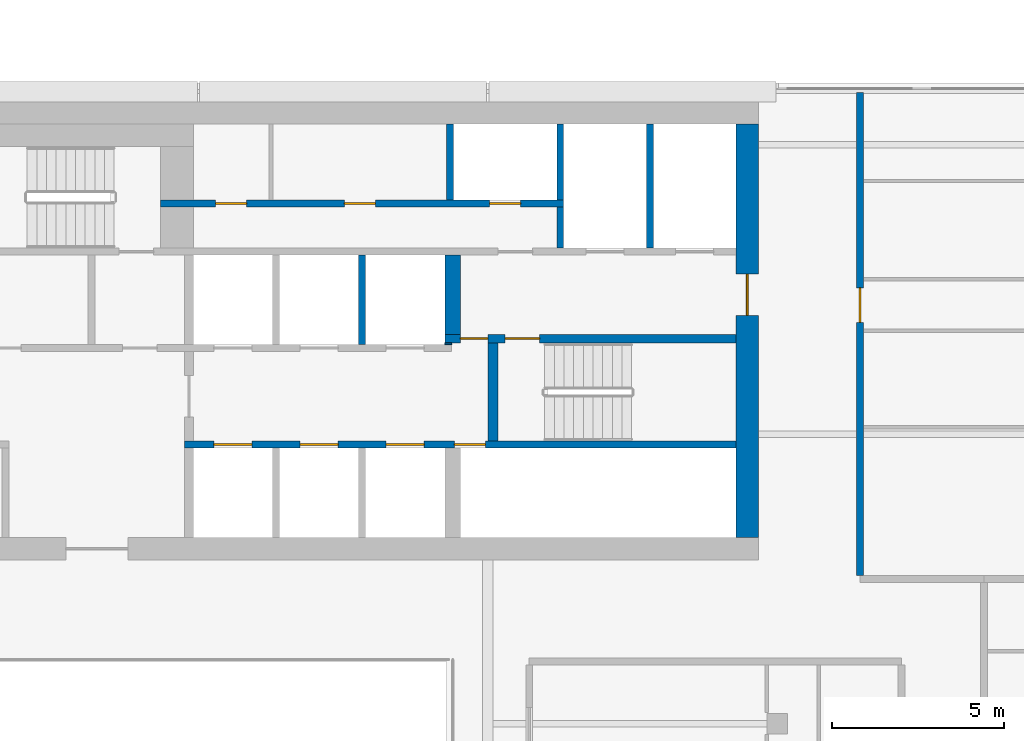
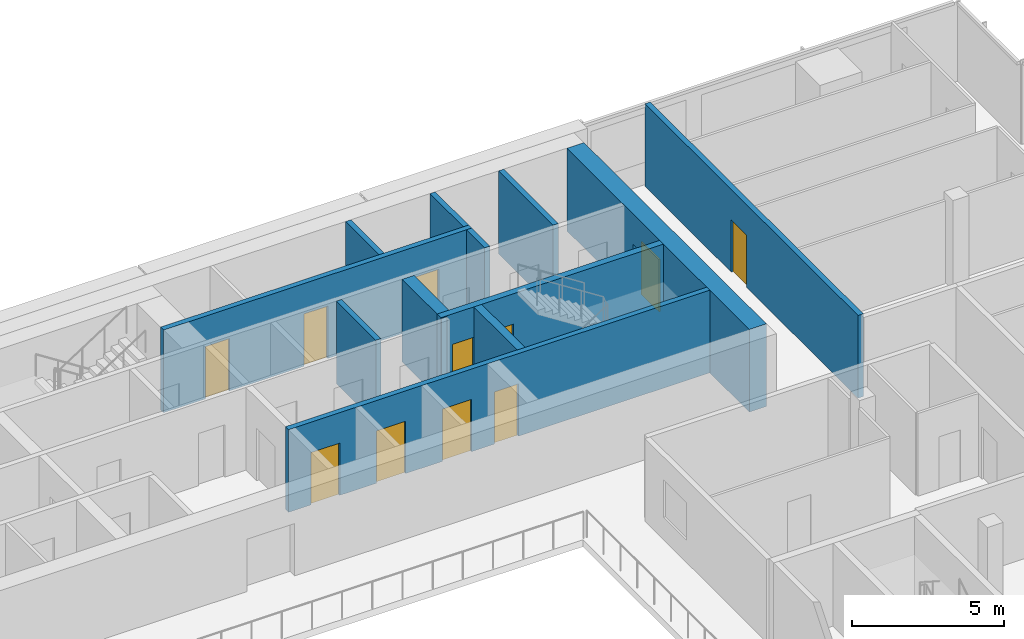
# One storey, part 22 of 30: 13 walls, 11 doors, 11 openings.
"""IFC4 building model written with IfcOpenShell, lengths in metres."""

from ifc_helpers import new_model, si_unit, direction, frame, frame_2d, origin, place, context, subcontext, project, spatial, rectangle, extrude, material, layer, layer_set, type_object, element, fill, save


model = new_model("IFC4")

# Units and contexts
model_context = context("Model", 3, precision=1e-05, world=origin(), true_north=direction((0.0, 1.0)))
body_context = subcontext(model_context, "Body", "Model", "MODEL_VIEW")
ifc_project = project(units=[si_unit("LENGTHUNIT", "METRE"), si_unit("AREAUNIT", "SQUARE_METRE"), si_unit("VOLUMEUNIT", "CUBIC_METRE"), si_unit("PLANEANGLEUNIT", "RADIAN"), si_unit("MASSUNIT", "GRAM", prefix="KILO")], contexts=[model_context])

# Site, building, storey
site_placement = place(None, origin())
site = spatial("IfcSite", under=ifc_project, at=site_placement, CompositionType="ELEMENT")
building_placement = place(site_placement, origin())
building = spatial("IfcBuilding", under=site, at=building_placement, Name="Saffron Gate Tower", CompositionType="ELEMENT")
storey_placement = place(building_placement, frame((0.0, 0.0, 216.300048828125)))
storey = spatial("IfcBuildingStorey", under=building, at=storey_placement, Name="L52", CompositionType="ELEMENT", Elevation=216.300048828125)

# Wall, openings, doors
ifc_material_1 = material(Name="Concrete C60", Category="concrete")
ifc_layer_1 = layer(ifc_material_1, 0.25)
ifc_layer_set_1 = layer_set([ifc_layer_1], Name="CW14 RC core wall 250 C60")
wall_type_1 = type_object("IfcWallType", Name="CW14 RC core wall 250 C60", PredefinedType="SOLIDWALL", material=ifc_layer_set_1)
wall_1_placement = place(storey_placement, frame((98.949951171875, 68.175048828125, 0.0), z_axis=(0.0, 0.0, 1.0), x_axis=(1.0, 0.0, 0.0)))
wall_1 = element("IfcWall", 1, at=wall_1_placement, inside=storey, type_object=wall_type_1, Name="Wall CW14-L52-27", PredefinedType="SOLIDWALL", context=body_context, shape_type="SweptSolid", body=[
    extrude(rectangle(XDim=8.449951171875, YDim=0.25, at=frame_2d((4.22509765625, 0.0))), origin(), (0.0, 0.0, 1.0), 3.320068359375),
])
opening_1_placement = place(wall_1_placement, frame((0.449951171875, 0.0, 0.0)))
opening_1 = element("IfcOpeningElement", 2, at=opening_1_placement, cuts=wall_1, Name="Opening CR-05", PredefinedType="OPENING", context=body_context, shape_type="SweptSolid", body=[
    extrude(rectangle(XDim=0.800048828125, YDim=2.10009765625, at=frame_2d((0.39990234375, 1.050048828125))), frame((0.0, 0.135009765625, 0.0), z_axis=(0.0, -1.0, 0.0), x_axis=(1.0, 0.0, 0.0)), (0.0, 0.0, 1.0), 0.27001953125),
])
opening_2_placement = place(wall_1_placement, frame((1.75, 0.0, 0.0)))
opening_2 = element("IfcOpeningElement", 3, at=opening_2_placement, cuts=wall_1, Name="Opening CR-16", PredefinedType="OPENING", context=body_context, shape_type="SweptSolid", body=[
    extrude(rectangle(XDim=1.0, YDim=2.10009765625, at=frame_2d((0.5, 1.050048828125))), frame((0.0, 0.135009765625, 0.0), z_axis=(0.0, -1.0, 0.0), x_axis=(1.0, 0.0, 0.0)), (0.0, 0.0, 1.0), 0.27001953125),
])
ifc_material_2 = material(Name="Steel fire door set", Category="steel")
door_type_1 = type_object("IfcDoorType", Name="CD5 Stair door 1000x2100 EI 120", OperationType="NOTDEFINED", PredefinedType="DOOR", material=ifc_material_2)
door_1_placement = place(opening_2_placement, origin())
door_1 = element("IfcDoor", 4, at=door_1_placement, inside=storey, type_object=door_type_1, Name="DOOR CR-16", OperationType="SINGLE_SWING_RIGHT", OverallHeight=2.10009765625, OverallWidth=1.0, PredefinedType="DOOR", context=body_context, shape_type="SweptSolid", body=[
    extrude(rectangle(XDim=1.0, YDim=2.10009765625, at=frame_2d((0.5, 1.050048828125))), frame((0.0, 0.02490234375, 0.0), z_axis=(0.0, -1.0, 0.0), x_axis=(1.0, 0.0, 0.0)), (0.0, 0.0, 1.0), 0.050048828125),
])
fill(opening_2, door_1)
door_type_2 = type_object("IfcDoorType", Name="CD6 Lobby door 800x2100 EI 120", OperationType="NOTDEFINED", PredefinedType="DOOR", material=ifc_material_2)
door_2_placement = place(opening_1_placement, origin())
door_2 = element("IfcDoor", 5, at=door_2_placement, inside=storey, type_object=door_type_2, Name="DOOR CR-05", OperationType="SINGLE_SWING_LEFT", OverallHeight=2.10009765625, OverallWidth=0.800048828125, PredefinedType="DOOR", context=body_context, shape_type="SweptSolid", body=[
    extrude(rectangle(XDim=0.800048828125, YDim=2.10009765625, at=frame_2d((0.39990234375, 1.050048828125))), frame((0.0, 0.02490234375, 0.0), z_axis=(0.0, -1.0, 0.0), x_axis=(1.0, 0.0, 0.0)), (0.0, 0.0, 1.0), 0.050048828125),
])
fill(opening_1, door_2)

ifc_layer_2 = layer(ifc_material_1, 0.199951171875)
ifc_layer_set_2 = layer_set([ifc_layer_2], Name="CW15 RC core wall 200 C60")
wall_type_2 = type_object("IfcWallType", Name="CW15 RC core wall 200 C60", PredefinedType="SOLIDWALL", material=ifc_layer_set_2)
wall_2_placement = place(storey_placement, frame((91.39990234375, 65.10009765625, 0.0), z_axis=(0.0, 0.0, 1.0), x_axis=(1.0, 0.0, 0.0)))
wall_2 = element("IfcWall", 6, at=wall_2_placement, inside=storey, type_object=wall_type_2, Name="Wall CW15-L52-14", PredefinedType="SOLIDWALL", context=body_context, shape_type="SweptSolid", body=[
    extrude(rectangle(XDim=16.0, YDim=0.199951171875, at=frame_2d((8.0, 0.0))), origin(), (0.0, 0.0, 1.0), 3.320068359375),
])
opening_3_placement = place(wall_2_placement, frame((0.85009765625, 0.0, 0.0)))
opening_3 = element("IfcOpeningElement", 7, at=opening_3_placement, cuts=wall_2, Name="Opening LD-HR1", PredefinedType="OPENING", context=body_context, shape_type="SweptSolid", body=[
    extrude(rectangle(XDim=1.10009765625, YDim=2.10009765625, at=frame_2d((0.550048828125, 1.050048828125))), frame((0.0, 0.10986328125, 0.0), z_axis=(0.0, -1.0, 0.0), x_axis=(1.0, 0.0, 0.0)), (0.0, 0.0, 1.0), 0.219970703125),
])
opening_4_placement = place(wall_2_placement, frame((3.35009765625, 0.0, 0.0)))
opening_4 = element("IfcOpeningElement", 8, at=opening_4_placement, cuts=wall_2, Name="Opening LD-HR2", PredefinedType="OPENING", context=body_context, shape_type="SweptSolid", body=[
    extrude(rectangle(XDim=1.10009765625, YDim=2.10009765625, at=frame_2d((0.550048828125, 1.050048828125))), frame((0.0, 0.10986328125, 0.0), z_axis=(0.0, -1.0, 0.0), x_axis=(1.0, 0.0, 0.0)), (0.0, 0.0, 1.0), 0.219970703125),
])
opening_5_placement = place(wall_2_placement, frame((5.85009765625, 0.0, 0.0)))
opening_5 = element("IfcOpeningElement", 9, at=opening_5_placement, cuts=wall_2, Name="Opening LD-HR3", PredefinedType="OPENING", context=body_context, shape_type="SweptSolid", body=[
    extrude(rectangle(XDim=1.10009765625, YDim=2.10009765625, at=frame_2d((0.550048828125, 1.050048828125))), frame((0.0, 0.10986328125, 0.0), z_axis=(0.0, -1.0, 0.0), x_axis=(1.0, 0.0, 0.0)), (0.0, 0.0, 1.0), 0.219970703125),
])
opening_6_placement = place(wall_2_placement, frame((7.830078125, 0.0, 0.0)))
opening_6 = element("IfcOpeningElement", 10, at=opening_6_placement, cuts=wall_2, Name="Opening CR-48", PredefinedType="OPENING", context=body_context, shape_type="SweptSolid", body=[
    extrude(rectangle(XDim=0.89990234375, YDim=2.10009765625, at=frame_2d((0.449951171875, 1.050048828125))), frame((0.0, 0.10986328125, 0.0), z_axis=(0.0, -1.0, 0.0), x_axis=(1.0, 0.0, 0.0)), (0.0, 0.0, 1.0), 0.219970703125),
])
door_type_3 = type_object("IfcDoorType", Name="CD2 Riser door 900x2100 EI 60", OperationType="NOTDEFINED", PredefinedType="DOOR", material=ifc_material_2)
door_3_placement = place(opening_6_placement, origin())
door_3 = element("IfcDoor", 11, at=door_3_placement, inside=storey, type_object=door_type_3, Name="DOOR CR-48", OperationType="SINGLE_SWING_RIGHT", OverallHeight=2.10009765625, OverallWidth=0.89990234375, PredefinedType="DOOR", context=body_context, shape_type="SweptSolid", body=[
    extrude(rectangle(XDim=0.89990234375, YDim=2.10009765625, at=frame_2d((0.449951171875, 1.050048828125))), frame((0.0, 0.02490234375, 0.0), z_axis=(0.0, -1.0, 0.0), x_axis=(1.0, 0.0, 0.0)), (0.0, 0.0, 1.0), 0.050048828125),
])
fill(opening_6, door_3)
ifc_material_3 = material(Name="Stainless steel landing door", Category="steel")
door_type_4 = type_object("IfcDoorType", Name="LD Lift landing door 1100x2100 EI 120", OperationType="SLIDING_TO_LEFT", PredefinedType="DOOR", material=ifc_material_3)
door_4_placement = place(opening_3_placement, origin())
door_4 = element("IfcDoor", 12, at=door_4_placement, inside=storey, type_object=door_type_4, Name="LANDING DOOR LD-HR1", OperationType="SLIDING_TO_LEFT", OverallHeight=2.10009765625, OverallWidth=1.10009765625, PredefinedType="DOOR", context=body_context, shape_type="SweptSolid", body=[
    extrude(rectangle(XDim=1.10009765625, YDim=2.10009765625, at=frame_2d((0.550048828125, 1.050048828125))), frame((0.0, 0.02490234375, 0.0), z_axis=(0.0, -1.0, 0.0), x_axis=(1.0, 0.0, 0.0)), (0.0, 0.0, 1.0), 0.050048828125),
])
fill(opening_3, door_4)
door_5_placement = place(opening_4_placement, origin())
door_5 = element("IfcDoor", 13, at=door_5_placement, inside=storey, type_object=door_type_4, Name="LANDING DOOR LD-HR2", OperationType="SLIDING_TO_LEFT", OverallHeight=2.10009765625, OverallWidth=1.10009765625, PredefinedType="DOOR", context=body_context, shape_type="SweptSolid", body=[
    extrude(rectangle(XDim=1.10009765625, YDim=2.10009765625, at=frame_2d((0.550048828125, 1.050048828125))), frame((0.0, 0.02490234375, 0.0), z_axis=(0.0, -1.0, 0.0), x_axis=(1.0, 0.0, 0.0)), (0.0, 0.0, 1.0), 0.050048828125),
])
fill(opening_4, door_5)
door_6_placement = place(opening_5_placement, origin())
door_6 = element("IfcDoor", 14, at=door_6_placement, inside=storey, type_object=door_type_4, Name="LANDING DOOR LD-HR3", OperationType="SLIDING_TO_LEFT", OverallHeight=2.10009765625, OverallWidth=1.10009765625, PredefinedType="DOOR", context=body_context, shape_type="SweptSolid", body=[
    extrude(rectangle(XDim=1.10009765625, YDim=2.10009765625, at=frame_2d((0.550048828125, 1.050048828125))), frame((0.0, 0.02490234375, 0.0), z_axis=(0.0, -1.0, 0.0), x_axis=(1.0, 0.0, 0.0)), (0.0, 0.0, 1.0), 0.050048828125),
])
fill(opening_5, door_6)

# Walls
wall_3_placement = place(storey_placement, frame((96.550048828125, 68.0, 0.0), z_axis=(0.0, 0.0, 1.0), x_axis=(0.0, 1.0, 0.0)))
element("IfcWall", 15, at=wall_3_placement, inside=storey, type_object=wall_type_2, Name="Wall CW15-L52-24", PredefinedType="SOLIDWALL", context=body_context, shape_type="SweptSolid", body=[
    extrude(rectangle(XDim=2.60009765625, YDim=0.199951171875, at=frame_2d((1.300048828125, 0.0))), origin(), (0.0, 0.0, 1.0), 3.320068359375),
])
wall_4_placement = place(storey_placement, frame((102.300048828125, 70.800048828125, 0.0), z_axis=(0.0, 0.0, 1.0), x_axis=(0.0, 1.0, 0.0)))
element("IfcWall", 16, at=wall_4_placement, inside=storey, type_object=wall_type_2, Name="Wall CW15-L52-35", PredefinedType="SOLIDWALL", context=body_context, shape_type="SweptSolid", body=[
    extrude(rectangle(XDim=1.199951171875, YDim=0.199951171875, at=frame_2d((0.60009765625, 0.0))), origin(), (0.0, 0.0, 1.0), 3.320068359375),
])
wall_5_placement = place(storey_placement, frame((104.89990234375, 70.800048828125, 0.0), z_axis=(0.0, 0.0, 1.0), x_axis=(0.0, 1.0, 0.0)))
element("IfcWall", 17, at=wall_5_placement, inside=storey, type_object=wall_type_2, Name="Wall CW15-L52-36", PredefinedType="SOLIDWALL", context=body_context, shape_type="SweptSolid", body=[
    extrude(rectangle(XDim=3.599853515625, YDim=0.199951171875, at=frame_2d((1.7998046875, 0.0))), origin(), (0.0, 0.0, 1.0), 3.320068359375),
])

# Wall, openings, doors
wall_6_placement = place(storey_placement, frame((90.699951171875, 72.10009765625, 0.0), z_axis=(0.0, 0.0, 1.0), x_axis=(1.0, 0.0, 0.0)))
wall_6 = element("IfcWall", 18, at=wall_6_placement, inside=storey, type_object=wall_type_2, Name="Wall CW15-L52-38", PredefinedType="SOLIDWALL", context=body_context, shape_type="SweptSolid", body=[
    extrude(rectangle(XDim=11.699951171875, YDim=0.199951171875, at=frame_2d((5.85009765625, 0.0))), origin(), (0.0, 0.0, 1.0), 3.320068359375),
])
opening_7_placement = place(wall_6_placement, frame((1.60009765625, 0.0, 0.0)))
opening_7 = element("IfcOpeningElement", 19, at=opening_7_placement, cuts=wall_6, Name="Opening CR-50", PredefinedType="OPENING", context=body_context, shape_type="SweptSolid", body=[
    extrude(rectangle(XDim=0.89990234375, YDim=2.10009765625, at=frame_2d((0.449951171875, 1.050048828125))), frame((0.0, 0.10986328125, 0.0), z_axis=(0.0, -1.0, 0.0), x_axis=(1.0, 0.0, 0.0)), (0.0, 0.0, 1.0), 0.219970703125),
])
opening_8_placement = place(wall_6_placement, frame((5.3349609375, 0.0, 0.0)))
opening_8 = element("IfcOpeningElement", 20, at=opening_8_placement, cuts=wall_6, Name="Opening CR-53", PredefinedType="OPENING", context=body_context, shape_type="SweptSolid", body=[
    extrude(rectangle(XDim=0.89990234375, YDim=2.10009765625, at=frame_2d((0.449951171875, 1.050048828125))), frame((0.0, 0.10986328125, 0.0), z_axis=(0.0, -1.0, 0.0), x_axis=(1.0, 0.0, 0.0)), (0.0, 0.0, 1.0), 0.219970703125),
])
opening_9_placement = place(wall_6_placement, frame((9.550048828125, 0.0, 0.0)))
opening_9 = element("IfcOpeningElement", 21, at=opening_9_placement, cuts=wall_6, Name="Opening CR-70", PredefinedType="OPENING", context=body_context, shape_type="SweptSolid", body=[
    extrude(rectangle(XDim=0.89990234375, YDim=2.10009765625, at=frame_2d((0.449951171875, 1.050048828125))), frame((0.0, 0.10986328125, 0.0), z_axis=(0.0, -1.0, 0.0), x_axis=(1.0, 0.0, 0.0)), (0.0, 0.0, 1.0), 0.219970703125),
])
door_7_placement = place(opening_9_placement, origin())
door_7 = element("IfcDoor", 22, at=door_7_placement, inside=storey, type_object=door_type_3, Name="DOOR CR-70", OperationType="SINGLE_SWING_LEFT", OverallHeight=2.10009765625, OverallWidth=0.89990234375, PredefinedType="DOOR", context=body_context, shape_type="SweptSolid", body=[
    extrude(rectangle(XDim=0.89990234375, YDim=2.10009765625, at=frame_2d((0.449951171875, 1.050048828125))), frame((0.0, 0.02490234375, 0.0), z_axis=(0.0, -1.0, 0.0), x_axis=(1.0, 0.0, 0.0)), (0.0, 0.0, 1.0), 0.050048828125),
])
fill(opening_9, door_7)
door_type_5 = type_object("IfcDoorType", Name="CD9 Room door 900x2100 EI 60", OperationType="NOTDEFINED", PredefinedType="DOOR", material=ifc_material_2)
door_8_placement = place(opening_7_placement, origin())
door_8 = element("IfcDoor", 23, at=door_8_placement, inside=storey, type_object=door_type_5, Name="DOOR CR-50", OperationType="SINGLE_SWING_LEFT", OverallHeight=2.10009765625, OverallWidth=0.89990234375, PredefinedType="DOOR", context=body_context, shape_type="SweptSolid", body=[
    extrude(rectangle(XDim=0.89990234375, YDim=2.10009765625, at=frame_2d((0.449951171875, 1.050048828125))), frame((0.0, 0.02490234375, 0.0), z_axis=(0.0, -1.0, 0.0), x_axis=(1.0, 0.0, 0.0)), (0.0, 0.0, 1.0), 0.050048828125),
])
fill(opening_7, door_8)
door_9_placement = place(opening_8_placement, origin())
door_9 = element("IfcDoor", 24, at=door_9_placement, inside=storey, type_object=door_type_5, Name="DOOR CR-53", OperationType="SINGLE_SWING_LEFT", OverallHeight=2.10009765625, OverallWidth=0.89990234375, PredefinedType="DOOR", context=body_context, shape_type="SweptSolid", body=[
    extrude(rectangle(XDim=0.89990234375, YDim=2.10009765625, at=frame_2d((0.449951171875, 1.050048828125))), frame((0.0, 0.02490234375, 0.0), z_axis=(0.0, -1.0, 0.0), x_axis=(1.0, 0.0, 0.0)), (0.0, 0.0, 1.0), 0.050048828125),
])
fill(opening_8, door_9)

# Walls
for number, where, z_axis, x_axis, name in (
    (25, (99.10009765625, 72.199951171875, 0.0), (0.0, 0.0, 1.0), (0.0, 1.0, 0.0), "Wall CW15-L52-46"),
    (26, (102.300048828125, 72.199951171875, 0.0), (0.0, 0.0, 1.0), (0.0, 1.0, 0.0), "Wall CW15-L52-47"),
):
    element("IfcWall", number, at=place(storey_placement, frame(where, z_axis=z_axis, x_axis=x_axis)), inside=storey, type_object=wall_type_2, Name=name, PredefinedType="SOLIDWALL", context=body_context, shape_type="SweptSolid", body=[
        extrude(rectangle(XDim=2.199951171875, YDim=0.199951171875, at=frame_2d((1.10009765625, 0.0))), origin(), (0.0, 0.0, 1.0), 3.320068359375),
    ])
ifc_layer_3 = layer(ifc_material_1, 0.449951171875)
ifc_layer_set_3 = layer_set([ifc_layer_3], Name="CW16 RC core wall 450 C60")
wall_type_3 = type_object("IfcWallType", Name="CW16 RC core wall 450 C60", PredefinedType="SOLIDWALL", material=ifc_layer_set_3)
wall_7_placement = place(storey_placement, frame((99.175048828125, 68.300048828125, 0.0), z_axis=(0.0, 0.0, 1.0), x_axis=(0.0, 1.0, 0.0)))
element("IfcWall", 27, at=wall_7_placement, inside=storey, type_object=wall_type_3, Name="Wall CW16-L52-29", PredefinedType="SOLIDWALL", context=body_context, shape_type="SweptSolid", body=[
    extrude(rectangle(XDim=2.300048828125, YDim=0.449951171875, at=frame_2d((1.14990234375, 0.0))), origin(), (0.0, 0.0, 1.0), 3.320068359375),
])
ifc_layer_4 = layer(ifc_material_1, 0.300048828125)
ifc_layer_set_4 = layer_set([ifc_layer_4], Name="CW17 RC core wall 300 C60")
wall_type_4 = type_object("IfcWallType", Name="CW17 RC core wall 300 C60", PredefinedType="SOLIDWALL", material=ifc_layer_set_4)
wall_8_placement = place(storey_placement, frame((100.35009765625, 65.199951171875, 0.0), z_axis=(0.0, 0.0, 1.0), x_axis=(0.0, 1.0, 0.0)))
element("IfcWall", 28, at=wall_8_placement, inside=storey, type_object=wall_type_4, Name="Wall CW17-L52-18", PredefinedType="SOLIDWALL", context=body_context, shape_type="SweptSolid", body=[
    extrude(rectangle(XDim=2.85009765625, YDim=0.300048828125, at=frame_2d((1.425048828125, 0.0))), origin(), (0.0, 0.0, 1.0), 3.320068359375),
])
ifc_layer_5 = layer(ifc_material_1, 0.050048828125)
ifc_layer_set_5 = layer_set([ifc_layer_5], Name="CW18 RC core wall 50 C60")
wall_type_5 = type_object("IfcWallType", Name="CW18 RC core wall 50 C60", PredefinedType="SOLIDWALL", material=ifc_layer_set_5)
wall_9_placement = place(storey_placement, frame((98.949951171875, 68.02490234375, 0.0), z_axis=(0.0, 0.0, 1.0), x_axis=(1.0, 0.0, 0.0)))
element("IfcWall", 29, at=wall_9_placement, inside=storey, type_object=wall_type_5, Name="Wall CW18-L52-25", PredefinedType="SOLIDWALL", context=body_context, shape_type="SweptSolid", body=[
    extrude(rectangle(XDim=0.199951171875, YDim=0.050048828125, at=frame_2d((0.10009765625, 0.0))), origin(), (0.0, 0.0, 1.0), 3.320068359375),
])

# Wall, opening, door
ifc_layer_6 = layer(ifc_material_1, 0.64990234375)
ifc_layer_set_6 = layer_set([ifc_layer_6], Name="CW20 RC core wall 650 C60")
wall_type_6 = type_object("IfcWallType", Name="CW20 RC core wall 650 C60", PredefinedType="SOLIDWALL", material=ifc_layer_set_6)
wall_10_placement = place(storey_placement, frame((107.72509765625, 62.39990234375, 0.0), z_axis=(0.0, 0.0, 1.0), x_axis=(0.0, 1.0, 0.0)))
wall_10 = element("IfcWall", 30, at=wall_10_placement, inside=storey, type_object=wall_type_6, Name="Wall CW20-L52-4", PredefinedType="SOLIDWALL", context=body_context, shape_type="SweptSolid", body=[
    extrude(rectangle(XDim=12.0, YDim=0.64990234375, at=frame_2d((6.0, 0.0))), origin(), (0.0, 0.0, 1.0), 3.320068359375),
])
opening_10_placement = place(wall_10_placement, frame((6.449951171875, 0.0, 0.0)))
opening_10 = element("IfcOpeningElement", 31, at=opening_10_placement, cuts=wall_10, Name="Opening CR-08", PredefinedType="OPENING", context=body_context, shape_type="SweptSolid", body=[
    extrude(rectangle(XDim=1.199951171875, YDim=2.10009765625, at=frame_2d((0.60009765625, 1.050048828125))), frame((0.0, 0.3349609375, 0.0), z_axis=(0.0, -1.0, 0.0), x_axis=(1.0, 0.0, 0.0)), (0.0, 0.0, 1.0), 0.669921875),
])
door_type_6 = type_object("IfcDoorType", Name="CD7 Core entrance door 1200x2100 EI 120", OperationType="NOTDEFINED", PredefinedType="DOOR", material=ifc_material_2)
door_10_placement = place(opening_10_placement, origin())
door_10 = element("IfcDoor", 32, at=door_10_placement, inside=storey, type_object=door_type_6, Name="DOOR CR-08", OperationType="SINGLE_SWING_RIGHT", OverallHeight=2.10009765625, OverallWidth=1.199951171875, PredefinedType="DOOR", context=body_context, shape_type="SweptSolid", body=[
    extrude(rectangle(XDim=1.199951171875, YDim=2.10009765625, at=frame_2d((0.60009765625, 1.050048828125))), frame((0.0, 0.02490234375, 0.0), z_axis=(0.0, -1.0, 0.0), x_axis=(1.0, 0.0, 0.0)), (0.0, 0.0, 1.0), 0.050048828125),
])
fill(opening_10, door_10)

ifc_material_4 = material(Name="Clay brick masonry, rendered", Category="masonry")
ifc_layer_7 = layer(ifc_material_4, 0.199951171875)
ifc_layer_set_7 = layer_set([ifc_layer_7], Name="PW3 Corridor wall 200")
wall_type_7 = type_object("IfcWallType", Name="PW3 Corridor wall 200", PredefinedType="PARTITIONING", material=ifc_layer_set_7)
wall_11_placement = place(storey_placement, frame((111.0, 75.320068359375, 0.0), z_axis=(0.0, 0.0, 1.0), x_axis=(0.0, -1.0, 0.0)))
wall_11 = element("IfcWall", 33, at=wall_11_placement, inside=storey, type_object=wall_type_7, Name="Wall D2-103", PredefinedType="PARTITIONING", context=body_context, shape_type="SweptSolid", body=[
    extrude(rectangle(XDim=14.02001953125, YDim=0.199951171875, at=frame_2d((7.010009765625, 0.0))), origin(), (0.0, 0.0, 1.0), 3.320068359375),
])
opening_11_placement = place(wall_11_placement, frame((5.669921875, 0.0, 0.0)))
opening_11 = element("IfcOpeningElement", 34, at=opening_11_placement, cuts=wall_11, Name="Opening D2-7", PredefinedType="OPENING", context=body_context, shape_type="SweptSolid", body=[
    extrude(rectangle(XDim=1.0, YDim=2.10009765625, at=frame_2d((0.5, 1.050048828125))), frame((0.0, 0.10986328125, 0.0), z_axis=(0.0, -1.0, 0.0), x_axis=(1.0, 0.0, 0.0)), (0.0, 0.0, 1.0), 0.219970703125),
])
ifc_material_5 = material(Name="Timber fire door set", Category="wood")
door_type_7 = type_object("IfcDoorType", Name="FD1 Flat entry door 1000x2100", OperationType="NOTDEFINED", PredefinedType="DOOR", material=ifc_material_5)
door_11_placement = place(opening_11_placement, origin())
door_11 = element("IfcDoor", 35, at=door_11_placement, inside=storey, type_object=door_type_7, Name="Door D2-7", OperationType="SINGLE_SWING_RIGHT", OverallHeight=2.10009765625, OverallWidth=1.0, PredefinedType="DOOR", context=body_context, shape_type="SweptSolid", body=[
    extrude(rectangle(XDim=1.0, YDim=2.10009765625, at=frame_2d((0.5, 1.050048828125))), frame((0.0, 0.02490234375, 0.0), z_axis=(0.0, -1.0, 0.0), x_axis=(1.0, 0.0, 0.0)), (0.0, 0.0, 1.0), 0.050048828125),
])
fill(opening_11, door_11)

save(model, "model.ifc")
